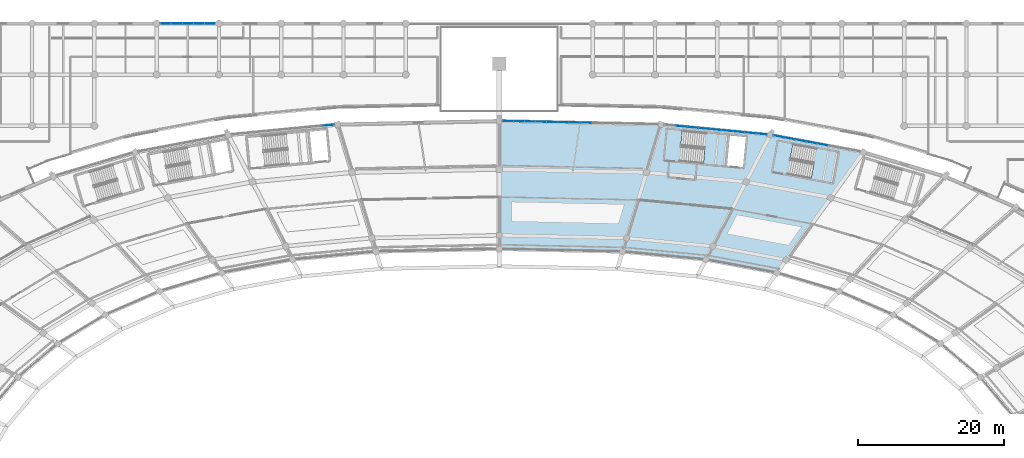
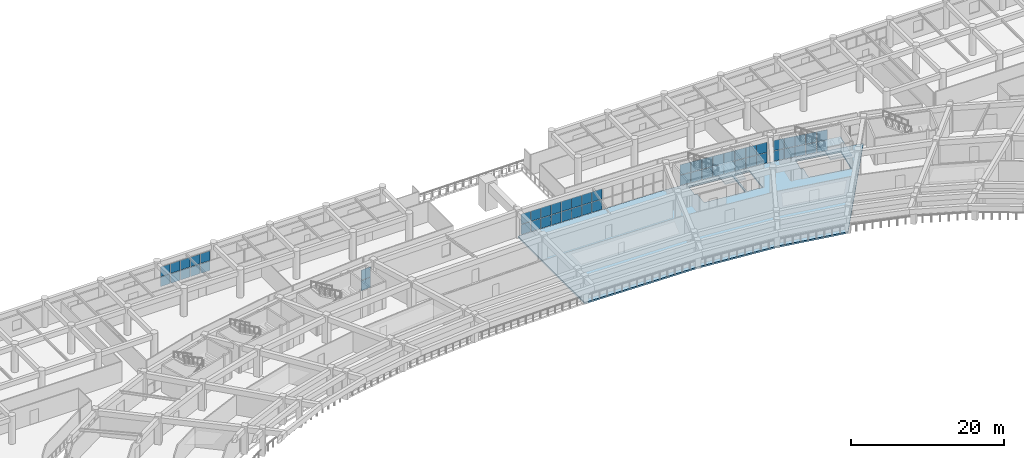
# One storey, part 89 of 145: 54 plates, 3 slabs, 7 elements without a shape of their own.
"""IFC4 building model written with IfcOpenShell, lengths in metres."""

from ifc_helpers import new_model, si_unit, direction, frame, origin, origin_2d, place, context, subcontext, project, spatial, polyline, rectangle, outline, extrude, material, layer, layer_set, type_object, element, aggregate, save


model = new_model("IFC4")

# Units and contexts
model_context = context("Model", 3, precision=1e-05, world=origin(), true_north=direction((0.0, 1.0)))
body_context = subcontext(model_context, "Body", "Model", "MODEL_VIEW")
ifc_project = project(units=[si_unit("LENGTHUNIT", "METRE"), si_unit("AREAUNIT", "SQUARE_METRE"), si_unit("VOLUMEUNIT", "CUBIC_METRE"), si_unit("PLANEANGLEUNIT", "RADIAN"), si_unit("MASSUNIT", "GRAM", prefix="KILO")], contexts=[model_context])

# Site, building, storey
site_placement = place(None, origin())
site = spatial("IfcSite", under=ifc_project, at=site_placement, CompositionType="ELEMENT")
building_placement = place(site_placement, origin())
building = spatial("IfcBuilding", under=site, at=building_placement, Name="Mphavela Belvedere Stadium", CompositionType="ELEMENT")
storey_placement = place(building_placement, frame((0.0, 0.0, 10.199951171875)))
storey = spatial("IfcBuildingStorey", under=building, at=storey_placement, Name="L02", CompositionType="ELEMENT", Elevation=10.199951171875)

# Curtain wall, plates
ifc_material_1 = material(Name="Anodised bronze unitised curtain wall framing")
ifc_layer_1 = layer(ifc_material_1, 0.199951171875)
ifc_layer_set_1 = layer_set([ifc_layer_1], Name="Anodised bronze unitised curtain wall framing")
curtain_wall_type_1 = type_object("IfcCurtainWallType", Name="CW-UNIT-05", PredefinedType="USERDEFINED", material=ifc_layer_set_1)
curtain_wall_1_placement = place(storey_placement, origin())
curtain_wall_1 = element("IfcCurtainWall", 1, at=curtain_wall_1_placement, inside=storey, type_object=curtain_wall_type_1, Name="Belvedere colonnade curtain wall L02-10", ObjectType="UNITISED CURTAIN WALL", PredefinedType="USERDEFINED")
ifc_material_2 = material(Name="Solar-control double glazing", Category="glass")
ifc_layer_2 = layer(ifc_material_2, 0.031982421875)
ifc_layer_set_2 = layer_set([ifc_layer_2], Name="Solar-control double glazing")
plate_type = type_object("IfcPlateType", Name="CWP-SOLAR-GLASS", PredefinedType="CURTAIN_PANEL", material=ifc_layer_set_2)
plate_1_placement = place(storey_placement, frame((159.18359375, 157.443115234375, 0.06005859375), z_axis=(0.0, 0.0, 1.0), x_axis=(-0.983097097753, 0.1830849431, 0.0)))
plate_1 = element("IfcPlate", 2, at=plate_1_placement, type_object=plate_type, Name="CW-05 panel 4.1", PredefinedType="CURTAIN_PANEL", context=body_context, shape_type="SweptSolid", body=[
    extrude(rectangle(XDim=1.453857421875, YDim=0.031982421875, at=origin_2d()), origin(), (0.0, 0.0, 1.0), 1.6201171875),
])
plate_2_placement = place(storey_placement, frame((159.18359375, 157.443115234375, 1.739990234375), z_axis=(0.0, 0.0, 1.0), x_axis=(-0.983097097753, 0.1830849431, 0.0)))
plate_2 = element("IfcPlate", 3, at=plate_2_placement, type_object=plate_type, Name="CW-05 panel 4.2", PredefinedType="CURTAIN_PANEL", context=body_context, shape_type="SweptSolid", body=[
    extrude(rectangle(XDim=1.453857421875, YDim=0.031982421875, at=origin_2d()), origin(), (0.0, 0.0, 1.0), 1.6201171875),
])
plate_3_placement = place(storey_placement, frame((157.6904296875, 157.72119140625, 0.06005859375), z_axis=(0.0, 0.0, 1.0), x_axis=(-0.983097097753, 0.1830849431, 0.0)))
plate_3 = element("IfcPlate", 4, at=plate_3_placement, type_object=plate_type, Name="CW-05 panel 5.1", PredefinedType="CURTAIN_PANEL", context=body_context, shape_type="SweptSolid", body=[
    extrude(rectangle(XDim=1.453857421875, YDim=0.031982421875, at=origin_2d()), origin(), (0.0, 0.0, 1.0), 1.6201171875),
])
plate_4_placement = place(storey_placement, frame((157.6904296875, 157.72119140625, 1.739990234375), z_axis=(0.0, 0.0, 1.0), x_axis=(-0.983097097753, 0.1830849431, 0.0)))
plate_4 = element("IfcPlate", 5, at=plate_4_placement, type_object=plate_type, Name="CW-05 panel 5.2", PredefinedType="CURTAIN_PANEL", context=body_context, shape_type="SweptSolid", body=[
    extrude(rectangle(XDim=1.453857421875, YDim=0.031982421875, at=origin_2d()), origin(), (0.0, 0.0, 1.0), 1.6201171875),
])
plate_5_placement = place(storey_placement, frame((156.197265625, 157.999267578125, 0.06005859375), z_axis=(0.0, 0.0, 1.0), x_axis=(-0.983097097753, 0.1830849431, 0.0)))
plate_5 = element("IfcPlate", 6, at=plate_5_placement, type_object=plate_type, Name="CW-05 panel 6.1", PredefinedType="CURTAIN_PANEL", context=body_context, shape_type="SweptSolid", body=[
    extrude(rectangle(XDim=1.453857421875, YDim=0.031982421875, at=origin_2d()), origin(), (0.0, 0.0, 1.0), 1.6201171875),
])
plate_6_placement = place(storey_placement, frame((156.197265625, 157.999267578125, 1.739990234375), z_axis=(0.0, 0.0, 1.0), x_axis=(-0.983097097753, 0.1830849431, 0.0)))
plate_6 = element("IfcPlate", 7, at=plate_6_placement, type_object=plate_type, Name="CW-05 panel 6.2", PredefinedType="CURTAIN_PANEL", context=body_context, shape_type="SweptSolid", body=[
    extrude(rectangle(XDim=1.453857421875, YDim=0.031982421875, at=origin_2d()), origin(), (0.0, 0.0, 1.0), 1.6201171875),
])
plate_7_placement = place(storey_placement, frame((154.703857421875, 158.27734375, 0.06005859375), z_axis=(0.0, 0.0, 1.0), x_axis=(-0.983097097753, 0.1830849431, 0.0)))
plate_7 = element("IfcPlate", 8, at=plate_7_placement, type_object=plate_type, Name="CW-05 panel 7.1", PredefinedType="CURTAIN_PANEL", context=body_context, shape_type="SweptSolid", body=[
    extrude(rectangle(XDim=1.453857421875, YDim=0.031982421875, at=origin_2d()), origin(), (0.0, 0.0, 1.0), 1.6201171875),
])
plate_8_placement = place(storey_placement, frame((154.703857421875, 158.27734375, 1.739990234375), z_axis=(0.0, 0.0, 1.0), x_axis=(-0.983097097753, 0.1830849431, 0.0)))
plate_8 = element("IfcPlate", 9, at=plate_8_placement, type_object=plate_type, Name="CW-05 panel 7.2", PredefinedType="CURTAIN_PANEL", context=body_context, shape_type="SweptSolid", body=[
    extrude(rectangle(XDim=1.453857421875, YDim=0.031982421875, at=origin_2d()), origin(), (0.0, 0.0, 1.0), 1.6201171875),
])
plate_9_placement = place(storey_placement, frame((153.226806640625, 158.552490234375, 0.06005859375), z_axis=(0.0, 0.0, 1.0), x_axis=(-0.983097097753, 0.1830849431, 0.0)))
plate_9 = element("IfcPlate", 10, at=plate_9_placement, type_object=plate_type, Name="CW-05 panel 8.1", PredefinedType="CURTAIN_PANEL", context=body_context, shape_type="SweptSolid", body=[
    extrude(rectangle(XDim=1.42138671875, YDim=0.031982421875, at=origin_2d()), origin(), (0.0, 0.0, 1.0), 1.6201171875),
])
plate_10_placement = place(storey_placement, frame((153.226806640625, 158.552490234375, 1.739990234375), z_axis=(0.0, 0.0, 1.0), x_axis=(-0.983097097753, 0.1830849431, 0.0)))
plate_10 = element("IfcPlate", 11, at=plate_10_placement, type_object=plate_type, Name="CW-05 panel 8.2", PredefinedType="CURTAIN_PANEL", context=body_context, shape_type="SweptSolid", body=[
    extrude(rectangle(XDim=1.42138671875, YDim=0.031982421875, at=origin_2d()), origin(), (0.0, 0.0, 1.0), 1.6201171875),
])
aggregate(curtain_wall_1, [plate_1, plate_2, plate_3, plate_4, plate_5, plate_6, plate_7, plate_8, plate_9, plate_10])

ifc_material_3 = material(Name="Anodised bronze unitised curtain wall framing")
ifc_layer_3 = layer(ifc_material_3, 0.205078125)
ifc_layer_set_3 = layer_set([ifc_layer_3], Name="Anodised bronze unitised curtain wall framing")
curtain_wall_type_2 = type_object("IfcCurtainWallType", Name="CW-UNIT-06", PredefinedType="USERDEFINED", material=ifc_layer_set_3)
curtain_wall_2_placement = place(storey_placement, origin())
curtain_wall_2 = element("IfcCurtainWall", 12, at=curtain_wall_2_placement, inside=storey, type_object=curtain_wall_type_2, Name="Belvedere colonnade curtain wall L02-11", ObjectType="UNITISED CURTAIN WALL", PredefinedType="USERDEFINED")
plate_11_placement = place(storey_placement, frame((150.87353515625, 158.8818359375, 0.06005859375), z_axis=(0.0, 0.0, 1.0), x_axis=(-0.99548434828, 0.094925825406, 0.0)))
plate_11 = element("IfcPlate", 13, at=plate_11_placement, type_object=plate_type, Name="CW-06 panel 1.1", PredefinedType="CURTAIN_PANEL", context=body_context, shape_type="SweptSolid", body=[
    extrude(rectangle(XDim=1.483642578125, YDim=0.031982421875, at=origin_2d()), origin(), (0.0, 0.0, 1.0), 1.6201171875),
])
plate_12_placement = place(storey_placement, frame((150.87353515625, 158.8818359375, 1.739990234375), z_axis=(0.0, 0.0, 1.0), x_axis=(-0.99548434828, 0.094925825406, 0.0)))
plate_12 = element("IfcPlate", 14, at=plate_12_placement, type_object=plate_type, Name="CW-06 panel 1.2", PredefinedType="CURTAIN_PANEL", context=body_context, shape_type="SweptSolid", body=[
    extrude(rectangle(XDim=1.483642578125, YDim=0.031982421875, at=origin_2d()), origin(), (0.0, 0.0, 1.0), 1.6201171875),
])
plate_13_placement = place(storey_placement, frame((149.315673828125, 159.0302734375, 0.06005859375), z_axis=(0.0, 0.0, 1.0), x_axis=(-0.99548434828, 0.094925825406, 0.0)))
plate_13 = element("IfcPlate", 15, at=plate_13_placement, type_object=plate_type, Name="CW-06 panel 2.1", PredefinedType="CURTAIN_PANEL", context=body_context, shape_type="SweptSolid", body=[
    extrude(rectangle(XDim=1.51611328125, YDim=0.031982421875, at=origin_2d()), origin(), (0.0, 0.0, 1.0), 1.6201171875),
])
plate_14_placement = place(storey_placement, frame((149.315673828125, 159.0302734375, 1.739990234375), z_axis=(0.0, 0.0, 1.0), x_axis=(-0.99548434828, 0.094925825406, 0.0)))
plate_14 = element("IfcPlate", 16, at=plate_14_placement, type_object=plate_type, Name="CW-06 panel 2.2", PredefinedType="CURTAIN_PANEL", context=body_context, shape_type="SweptSolid", body=[
    extrude(rectangle(XDim=1.51611328125, YDim=0.031982421875, at=origin_2d()), origin(), (0.0, 0.0, 1.0), 1.6201171875),
])
plate_15_placement = place(storey_placement, frame((147.74169921875, 159.180419921875, 0.06005859375), z_axis=(0.0, 0.0, 1.0), x_axis=(-0.99548434828, 0.094925825406, 0.0)))
plate_15 = element("IfcPlate", 17, at=plate_15_placement, type_object=plate_type, Name="CW-06 panel 3.1", PredefinedType="CURTAIN_PANEL", context=body_context, shape_type="SweptSolid", body=[
    extrude(rectangle(XDim=1.51611328125, YDim=0.031982421875, at=origin_2d()), origin(), (0.0, 0.0, 1.0), 1.6201171875),
])
plate_16_placement = place(storey_placement, frame((147.74169921875, 159.180419921875, 1.739990234375), z_axis=(0.0, 0.0, 1.0), x_axis=(-0.99548434828, 0.094925825406, 0.0)))
plate_16 = element("IfcPlate", 18, at=plate_16_placement, type_object=plate_type, Name="CW-06 panel 3.2", PredefinedType="CURTAIN_PANEL", context=body_context, shape_type="SweptSolid", body=[
    extrude(rectangle(XDim=1.51611328125, YDim=0.031982421875, at=origin_2d()), origin(), (0.0, 0.0, 1.0), 1.6201171875),
])
plate_17_placement = place(storey_placement, frame((146.167724609375, 159.33056640625, 0.06005859375), z_axis=(0.0, 0.0, 1.0), x_axis=(-0.99548434828, 0.094925825406, 0.0)))
plate_17 = element("IfcPlate", 19, at=plate_17_placement, type_object=plate_type, Name="CW-06 panel 4.1", PredefinedType="CURTAIN_PANEL", context=body_context, shape_type="SweptSolid", body=[
    extrude(rectangle(XDim=1.51611328125, YDim=0.031982421875, at=origin_2d()), origin(), (0.0, 0.0, 1.0), 1.6201171875),
])
plate_18_placement = place(storey_placement, frame((146.167724609375, 159.33056640625, 1.739990234375), z_axis=(0.0, 0.0, 1.0), x_axis=(-0.99548434828, 0.094925825406, 0.0)))
plate_18 = element("IfcPlate", 20, at=plate_18_placement, type_object=plate_type, Name="CW-06 panel 4.2", PredefinedType="CURTAIN_PANEL", context=body_context, shape_type="SweptSolid", body=[
    extrude(rectangle(XDim=1.51611328125, YDim=0.031982421875, at=origin_2d()), origin(), (0.0, 0.0, 1.0), 1.6201171875),
])
plate_19_placement = place(storey_placement, frame((144.59375, 159.480712890625, 0.06005859375), z_axis=(0.0, 0.0, 1.0), x_axis=(-0.99548434828, 0.094925825406, 0.0)))
plate_19 = element("IfcPlate", 21, at=plate_19_placement, type_object=plate_type, Name="CW-06 panel 5.1", PredefinedType="CURTAIN_PANEL", context=body_context, shape_type="SweptSolid", body=[
    extrude(rectangle(XDim=1.51611328125, YDim=0.031982421875, at=origin_2d()), origin(), (0.0, 0.0, 1.0), 1.6201171875),
])
plate_20_placement = place(storey_placement, frame((144.59375, 159.480712890625, 1.739990234375), z_axis=(0.0, 0.0, 1.0), x_axis=(-0.99548434828, 0.094925825406, 0.0)))
plate_20 = element("IfcPlate", 22, at=plate_20_placement, type_object=plate_type, Name="CW-06 panel 5.2", PredefinedType="CURTAIN_PANEL", context=body_context, shape_type="SweptSolid", body=[
    extrude(rectangle(XDim=1.51611328125, YDim=0.031982421875, at=origin_2d()), origin(), (0.0, 0.0, 1.0), 1.6201171875),
])
plate_21_placement = place(storey_placement, frame((143.019775390625, 159.630615234375, 0.06005859375), z_axis=(0.0, 0.0, 1.0), x_axis=(-0.99548434828, 0.094925825406, 0.0)))
plate_21 = element("IfcPlate", 23, at=plate_21_placement, type_object=plate_type, Name="CW-06 panel 6.1", PredefinedType="CURTAIN_PANEL", context=body_context, shape_type="SweptSolid", body=[
    extrude(rectangle(XDim=1.51611328125, YDim=0.031982421875, at=origin_2d()), origin(), (0.0, 0.0, 1.0), 1.6201171875),
])
plate_22_placement = place(storey_placement, frame((143.019775390625, 159.630615234375, 1.739990234375), z_axis=(0.0, 0.0, 1.0), x_axis=(-0.99548434828, 0.094925825406, 0.0)))
plate_22 = element("IfcPlate", 24, at=plate_22_placement, type_object=plate_type, Name="CW-06 panel 6.2", PredefinedType="CURTAIN_PANEL", context=body_context, shape_type="SweptSolid", body=[
    extrude(rectangle(XDim=1.51611328125, YDim=0.031982421875, at=origin_2d()), origin(), (0.0, 0.0, 1.0), 1.6201171875),
])
plate_23_placement = place(storey_placement, frame((141.44580078125, 159.78076171875, 0.06005859375), z_axis=(0.0, 0.0, 1.0), x_axis=(-0.99548434828, 0.094925825406, 0.0)))
plate_23 = element("IfcPlate", 25, at=plate_23_placement, type_object=plate_type, Name="CW-06 panel 7.1", PredefinedType="CURTAIN_PANEL", context=body_context, shape_type="SweptSolid", body=[
    extrude(rectangle(XDim=1.51611328125, YDim=0.031982421875, at=origin_2d()), origin(), (0.0, 0.0, 1.0), 1.6201171875),
])
plate_24_placement = place(storey_placement, frame((141.44580078125, 159.78076171875, 1.739990234375), z_axis=(0.0, 0.0, 1.0), x_axis=(-0.99548434828, 0.094925825406, 0.0)))
plate_24 = element("IfcPlate", 26, at=plate_24_placement, type_object=plate_type, Name="CW-06 panel 7.2", PredefinedType="CURTAIN_PANEL", context=body_context, shape_type="SweptSolid", body=[
    extrude(rectangle(XDim=1.51611328125, YDim=0.031982421875, at=origin_2d()), origin(), (0.0, 0.0, 1.0), 1.6201171875),
])
plate_25_placement = place(storey_placement, frame((139.871826171875, 159.930908203125, 0.06005859375), z_axis=(0.0, 0.0, 1.0), x_axis=(-0.99548434828, 0.094925825406, 0.0)))
plate_25 = element("IfcPlate", 27, at=plate_25_placement, type_object=plate_type, Name="CW-06 panel 8.1", PredefinedType="CURTAIN_PANEL", context=body_context, shape_type="SweptSolid", body=[
    extrude(rectangle(XDim=1.51611328125, YDim=0.031982421875, at=origin_2d()), origin(), (0.0, 0.0, 1.0), 1.6201171875),
])
plate_26_placement = place(storey_placement, frame((139.871826171875, 159.930908203125, 1.739990234375), z_axis=(0.0, 0.0, 1.0), x_axis=(-0.99548434828, 0.094925825406, 0.0)))
plate_26 = element("IfcPlate", 28, at=plate_26_placement, type_object=plate_type, Name="CW-06 panel 8.2", PredefinedType="CURTAIN_PANEL", context=body_context, shape_type="SweptSolid", body=[
    extrude(rectangle(XDim=1.51611328125, YDim=0.031982421875, at=origin_2d()), origin(), (0.0, 0.0, 1.0), 1.6201171875),
])
aggregate(curtain_wall_2, [plate_11, plate_12, plate_13, plate_14, plate_15, plate_16, plate_17, plate_18, plate_19, plate_20, plate_21, plate_22, plate_23, plate_24, plate_25, plate_26])

ifc_material_4 = material(Name="Anodised bronze unitised curtain wall framing")
ifc_layer_4 = layer(ifc_material_4, 0.179931640625)
ifc_layer_set_4 = layer_set([ifc_layer_4], Name="Anodised bronze unitised curtain wall framing")
curtain_wall_type_3 = type_object("IfcCurtainWallType", Name="CW-UNIT-01", PredefinedType="USERDEFINED", material=ifc_layer_set_4)
curtain_wall_3_placement = place(storey_placement, origin())
curtain_wall_3 = element("IfcCurtainWall", 29, at=curtain_wall_3_placement, inside=storey, type_object=curtain_wall_type_3, Name="Belvedere colonnade curtain wall L02-12", ObjectType="UNITISED CURTAIN WALL", PredefinedType="USERDEFINED")
plate_27_placement = place(storey_placement, frame((126.818603515625, 160.41552734375, 0.06005859375), z_axis=(0.0, 0.0, 1.0), x_axis=(-0.999768303802, 0.021525304021, 0.0)))
plate_27 = element("IfcPlate", 30, at=plate_27_placement, type_object=plate_type, Name="CW-01 panel 7.1", PredefinedType="CURTAIN_PANEL", context=body_context, shape_type="SweptSolid", body=[
    extrude(rectangle(XDim=1.4580078125, YDim=0.031982421875, at=origin_2d()), origin(), (0.0, 0.0, 1.0), 1.6201171875),
])
plate_28_placement = place(storey_placement, frame((126.818603515625, 160.41552734375, 1.739990234375), z_axis=(0.0, 0.0, 1.0), x_axis=(-0.999768303802, 0.021525304021, 0.0)))
plate_28 = element("IfcPlate", 31, at=plate_28_placement, type_object=plate_type, Name="CW-01 panel 7.2", PredefinedType="CURTAIN_PANEL", context=body_context, shape_type="SweptSolid", body=[
    extrude(rectangle(XDim=1.4580078125, YDim=0.031982421875, at=origin_2d()), origin(), (0.0, 0.0, 1.0), 1.6201171875),
])
plate_29_placement = place(storey_placement, frame((125.2958984375, 160.4482421875, 0.06005859375), z_axis=(0.0, 0.0, 1.0), x_axis=(-0.999768303802, 0.021525304021, 0.0)))
plate_29 = element("IfcPlate", 32, at=plate_29_placement, type_object=plate_type, Name="CW-01 panel 8.1", PredefinedType="CURTAIN_PANEL", context=body_context, shape_type="SweptSolid", body=[
    extrude(rectangle(XDim=1.4580078125, YDim=0.031982421875, at=origin_2d()), origin(), (0.0, 0.0, 1.0), 1.6201171875),
])
plate_30_placement = place(storey_placement, frame((125.2958984375, 160.4482421875, 1.739990234375), z_axis=(0.0, 0.0, 1.0), x_axis=(-0.999768303802, 0.021525304021, 0.0)))
plate_30 = element("IfcPlate", 33, at=plate_30_placement, type_object=plate_type, Name="CW-01 panel 8.2", PredefinedType="CURTAIN_PANEL", context=body_context, shape_type="SweptSolid", body=[
    extrude(rectangle(XDim=1.4580078125, YDim=0.031982421875, at=origin_2d()), origin(), (0.0, 0.0, 1.0), 1.6201171875),
])
plate_31_placement = place(storey_placement, frame((123.773193359375, 160.48095703125, 0.06005859375), z_axis=(0.0, 0.0, 1.0), x_axis=(-0.999768303802, 0.021525304021, 0.0)))
plate_31 = element("IfcPlate", 34, at=plate_31_placement, type_object=plate_type, Name="CW-01 panel 9.1", PredefinedType="CURTAIN_PANEL", context=body_context, shape_type="SweptSolid", body=[
    extrude(rectangle(XDim=1.4580078125, YDim=0.031982421875, at=origin_2d()), origin(), (0.0, 0.0, 1.0), 1.6201171875),
])
plate_32_placement = place(storey_placement, frame((123.773193359375, 160.48095703125, 1.739990234375), z_axis=(0.0, 0.0, 1.0), x_axis=(-0.999768303802, 0.021525304021, 0.0)))
plate_32 = element("IfcPlate", 35, at=plate_32_placement, type_object=plate_type, Name="CW-01 panel 9.2", PredefinedType="CURTAIN_PANEL", context=body_context, shape_type="SweptSolid", body=[
    extrude(rectangle(XDim=1.4580078125, YDim=0.031982421875, at=origin_2d()), origin(), (0.0, 0.0, 1.0), 1.6201171875),
])
plate_33_placement = place(storey_placement, frame((122.25048828125, 160.513916015625, 0.06005859375), z_axis=(0.0, 0.0, 1.0), x_axis=(-0.999768303802, 0.021525304021, 0.0)))
plate_33 = element("IfcPlate", 36, at=plate_33_placement, type_object=plate_type, Name="CW-01 panel 10.1", PredefinedType="CURTAIN_PANEL", context=body_context, shape_type="SweptSolid", body=[
    extrude(rectangle(XDim=1.4580078125, YDim=0.031982421875, at=origin_2d()), origin(), (0.0, 0.0, 1.0), 1.6201171875),
])
plate_34_placement = place(storey_placement, frame((122.25048828125, 160.513916015625, 1.739990234375), z_axis=(0.0, 0.0, 1.0), x_axis=(-0.999768303802, 0.021525304021, 0.0)))
plate_34 = element("IfcPlate", 37, at=plate_34_placement, type_object=plate_type, Name="CW-01 panel 10.2", PredefinedType="CURTAIN_PANEL", context=body_context, shape_type="SweptSolid", body=[
    extrude(rectangle(XDim=1.4580078125, YDim=0.031982421875, at=origin_2d()), origin(), (0.0, 0.0, 1.0), 1.6201171875),
])
plate_35_placement = place(storey_placement, frame((120.7275390625, 160.546630859375, 0.06005859375), z_axis=(0.0, 0.0, 1.0), x_axis=(-0.999768303802, 0.021525304021, 0.0)))
plate_35 = element("IfcPlate", 38, at=plate_35_placement, type_object=plate_type, Name="CW-01 panel 11.1", PredefinedType="CURTAIN_PANEL", context=body_context, shape_type="SweptSolid", body=[
    extrude(rectangle(XDim=1.4580078125, YDim=0.031982421875, at=origin_2d()), origin(), (0.0, 0.0, 1.0), 1.6201171875),
])
plate_36_placement = place(storey_placement, frame((120.7275390625, 160.546630859375, 1.739990234375), z_axis=(0.0, 0.0, 1.0), x_axis=(-0.999768303802, 0.021525304021, 0.0)))
plate_36 = element("IfcPlate", 39, at=plate_36_placement, type_object=plate_type, Name="CW-01 panel 11.2", PredefinedType="CURTAIN_PANEL", context=body_context, shape_type="SweptSolid", body=[
    extrude(rectangle(XDim=1.4580078125, YDim=0.031982421875, at=origin_2d()), origin(), (0.0, 0.0, 1.0), 1.6201171875),
])
plate_37_placement = place(storey_placement, frame((119.204833984375, 160.579345703125, 0.06005859375), z_axis=(0.0, 0.0, 1.0), x_axis=(-0.999768303802, 0.021525304021, 0.0)))
plate_37 = element("IfcPlate", 40, at=plate_37_placement, type_object=plate_type, Name="CW-01 panel 12.1", PredefinedType="CURTAIN_PANEL", context=body_context, shape_type="SweptSolid", body=[
    extrude(rectangle(XDim=1.4580078125, YDim=0.031982421875, at=origin_2d()), origin(), (0.0, 0.0, 1.0), 1.6201171875),
])
plate_38_placement = place(storey_placement, frame((119.204833984375, 160.579345703125, 1.739990234375), z_axis=(0.0, 0.0, 1.0), x_axis=(-0.999768303802, 0.021525304021, 0.0)))
plate_38 = element("IfcPlate", 41, at=plate_38_placement, type_object=plate_type, Name="CW-01 panel 12.2", PredefinedType="CURTAIN_PANEL", context=body_context, shape_type="SweptSolid", body=[
    extrude(rectangle(XDim=1.4580078125, YDim=0.031982421875, at=origin_2d()), origin(), (0.0, 0.0, 1.0), 1.6201171875),
])
plate_39_placement = place(storey_placement, frame((117.68212890625, 160.6123046875, 0.06005859375), z_axis=(0.0, 0.0, 1.0), x_axis=(-0.999768303802, 0.021525304021, 0.0)))
plate_39 = element("IfcPlate", 42, at=plate_39_placement, type_object=plate_type, Name="CW-01 panel 13.1", PredefinedType="CURTAIN_PANEL", context=body_context, shape_type="SweptSolid", body=[
    extrude(rectangle(XDim=1.4580078125, YDim=0.031982421875, at=origin_2d()), origin(), (0.0, 0.0, 1.0), 1.6201171875),
])
plate_40_placement = place(storey_placement, frame((117.68212890625, 160.6123046875, 1.739990234375), z_axis=(0.0, 0.0, 1.0), x_axis=(-0.999768303802, 0.021525304021, 0.0)))
plate_40 = element("IfcPlate", 43, at=plate_40_placement, type_object=plate_type, Name="CW-01 panel 13.2", PredefinedType="CURTAIN_PANEL", context=body_context, shape_type="SweptSolid", body=[
    extrude(rectangle(XDim=1.4580078125, YDim=0.031982421875, at=origin_2d()), origin(), (0.0, 0.0, 1.0), 1.6201171875),
])
plate_41_placement = place(storey_placement, frame((116.175537109375, 160.644775390625, 0.06005859375), z_axis=(0.0, 0.0, 1.0), x_axis=(-0.999768303802, 0.021525304021, 0.0)))
plate_41 = element("IfcPlate", 44, at=plate_41_placement, type_object=plate_type, Name="CW-01 panel 14.1", PredefinedType="CURTAIN_PANEL", context=body_context, shape_type="SweptSolid", body=[
    extrude(rectangle(XDim=1.425537109375, YDim=0.031982421875, at=origin_2d()), origin(), (0.0, 0.0, 1.0), 1.6201171875),
])
plate_42_placement = place(storey_placement, frame((116.175537109375, 160.644775390625, 1.739990234375), z_axis=(0.0, 0.0, 1.0), x_axis=(-0.999768303802, 0.021525304021, 0.0)))
plate_42 = element("IfcPlate", 45, at=plate_42_placement, type_object=plate_type, Name="CW-01 panel 14.2", PredefinedType="CURTAIN_PANEL", context=body_context, shape_type="SweptSolid", body=[
    extrude(rectangle(XDim=1.425537109375, YDim=0.031982421875, at=origin_2d()), origin(), (0.0, 0.0, 1.0), 1.6201171875),
])
aggregate(curtain_wall_3, [plate_27, plate_28, plate_29, plate_30, plate_31, plate_32, plate_33, plate_34, plate_35, plate_36, plate_37, plate_38, plate_39, plate_40, plate_41, plate_42])

ifc_material_5 = material(Name="Anodised bronze unitised curtain wall framing")
ifc_layer_5 = layer(ifc_material_5, 0.18505859375)
ifc_layer_set_5 = layer_set([ifc_layer_5], Name="Anodised bronze unitised curtain wall framing")
curtain_wall_type_4 = type_object("IfcCurtainWallType", Name="CW-UNIT-02", PredefinedType="USERDEFINED", material=ifc_layer_set_5)
curtain_wall_4_placement = place(storey_placement, origin())
curtain_wall_4 = element("IfcCurtainWall", 46, at=curtain_wall_4_placement, inside=storey, type_object=curtain_wall_type_4, Name="Belvedere colonnade curtain wall L02-14", ObjectType="UNITISED CURTAIN WALL", PredefinedType="USERDEFINED")
plate_43_placement = place(storey_placement, frame((91.68603515625, 160.079345703125, 0.06005859375), z_axis=(0.0, 0.0, 1.0), x_axis=(-0.99548434828, -0.094925825406, 0.0)))
plate_43 = element("IfcPlate", 47, at=plate_43_placement, type_object=plate_type, Name="CW-02 panel 1.1", PredefinedType="CURTAIN_PANEL", context=body_context, shape_type="SweptSolid", body=[
    extrude(rectangle(XDim=1.483642578125, YDim=0.031982421875, at=origin_2d()), origin(), (0.0, 0.0, 1.0), 1.6201171875),
])
plate_44_placement = place(storey_placement, frame((91.68603515625, 160.079345703125, 1.739990234375), z_axis=(0.0, 0.0, 1.0), x_axis=(-0.99548434828, -0.094925825406, 0.0)))
plate_44 = element("IfcPlate", 48, at=plate_44_placement, type_object=plate_type, Name="CW-02 panel 1.2", PredefinedType="CURTAIN_PANEL", context=body_context, shape_type="SweptSolid", body=[
    extrude(rectangle(XDim=1.483642578125, YDim=0.031982421875, at=origin_2d()), origin(), (0.0, 0.0, 1.0), 1.6201171875),
])
aggregate(curtain_wall_4, [plate_43, plate_44])

curtain_wall_5_placement = place(storey_placement, origin())
curtain_wall_5 = element("IfcCurtainWall", 49, at=curtain_wall_5_placement, inside=storey, type_object=curtain_wall_type_1, Name="North Mast and Ceremonial End Forecourt gallery curtain wall L02-09", ObjectType="UNITISED CURTAIN WALL", PredefinedType="USERDEFINED")
plate_45_placement = place(storey_placement, frame((69.39453125, 174.0, 0.06005859375), z_axis=(0.0, 0.0, 1.0), x_axis=(1.0, 0.0, 0.0)))
plate_45 = element("IfcPlate", 50, at=plate_45_placement, type_object=plate_type, Name="CW-05 panel 1.1", PredefinedType="CURTAIN_PANEL", context=body_context, shape_type="SweptSolid", body=[
    extrude(rectangle(XDim=1.4169921875, YDim=0.031982421875, at=origin_2d()), origin(), (0.0, 0.0, 1.0), 1.5400390625),
])
plate_46_placement = place(storey_placement, frame((69.39453125, 174.0, 1.659912109375), z_axis=(0.0, 0.0, 1.0), x_axis=(1.0, 0.0, 0.0)))
plate_46 = element("IfcPlate", 51, at=plate_46_placement, type_object=plate_type, Name="CW-05 panel 1.2", PredefinedType="CURTAIN_PANEL", context=body_context, shape_type="SweptSolid", body=[
    extrude(rectangle(XDim=1.4169921875, YDim=0.031982421875, at=origin_2d()), origin(), (0.0, 0.0, 1.0), 1.5400390625),
])
plate_47_placement = place(storey_placement, frame((70.892822265625, 174.0, 0.06005859375), z_axis=(0.0, 0.0, 1.0), x_axis=(1.0, 0.0, 0.0)))
plate_47 = element("IfcPlate", 52, at=plate_47_placement, type_object=plate_type, Name="CW-05 panel 2.1", PredefinedType="CURTAIN_PANEL", context=body_context, shape_type="SweptSolid", body=[
    extrude(rectangle(XDim=1.44970703125, YDim=0.031982421875, at=origin_2d()), origin(), (0.0, 0.0, 1.0), 1.5400390625),
])
plate_48_placement = place(storey_placement, frame((70.892822265625, 174.0, 1.659912109375), z_axis=(0.0, 0.0, 1.0), x_axis=(1.0, 0.0, 0.0)))
plate_48 = element("IfcPlate", 53, at=plate_48_placement, type_object=plate_type, Name="CW-05 panel 2.2", PredefinedType="CURTAIN_PANEL", context=body_context, shape_type="SweptSolid", body=[
    extrude(rectangle(XDim=1.44970703125, YDim=0.031982421875, at=origin_2d()), origin(), (0.0, 0.0, 1.0), 1.5400390625),
])
plate_49_placement = place(storey_placement, frame((72.407470703125, 174.0, 0.06005859375), z_axis=(0.0, 0.0, 1.0), x_axis=(1.0, 0.0, 0.0)))
plate_49 = element("IfcPlate", 54, at=plate_49_placement, type_object=plate_type, Name="CW-05 panel 3.1", PredefinedType="CURTAIN_PANEL", context=body_context, shape_type="SweptSolid", body=[
    extrude(rectangle(XDim=1.44970703125, YDim=0.031982421875, at=origin_2d()), origin(), (0.0, 0.0, 1.0), 1.5400390625),
])
plate_50_placement = place(storey_placement, frame((72.407470703125, 174.0, 1.659912109375), z_axis=(0.0, 0.0, 1.0), x_axis=(1.0, 0.0, 0.0)))
plate_50 = element("IfcPlate", 55, at=plate_50_placement, type_object=plate_type, Name="CW-05 panel 3.2", PredefinedType="CURTAIN_PANEL", context=body_context, shape_type="SweptSolid", body=[
    extrude(rectangle(XDim=1.44970703125, YDim=0.031982421875, at=origin_2d()), origin(), (0.0, 0.0, 1.0), 1.5400390625),
])
plate_51_placement = place(storey_placement, frame((73.922119140625, 174.0, 0.06005859375), z_axis=(0.0, 0.0, 1.0), x_axis=(1.0, 0.0, 0.0)))
plate_51 = element("IfcPlate", 56, at=plate_51_placement, type_object=plate_type, Name="CW-05 panel 4.1", PredefinedType="CURTAIN_PANEL", context=body_context, shape_type="SweptSolid", body=[
    extrude(rectangle(XDim=1.44970703125, YDim=0.031982421875, at=origin_2d()), origin(), (0.0, 0.0, 1.0), 1.5400390625),
])
plate_52_placement = place(storey_placement, frame((73.922119140625, 174.0, 1.659912109375), z_axis=(0.0, 0.0, 1.0), x_axis=(1.0, 0.0, 0.0)))
plate_52 = element("IfcPlate", 57, at=plate_52_placement, type_object=plate_type, Name="CW-05 panel 4.2", PredefinedType="CURTAIN_PANEL", context=body_context, shape_type="SweptSolid", body=[
    extrude(rectangle(XDim=1.44970703125, YDim=0.031982421875, at=origin_2d()), origin(), (0.0, 0.0, 1.0), 1.5400390625),
])
plate_53_placement = place(storey_placement, frame((75.42041015625, 174.0, 0.06005859375), z_axis=(0.0, 0.0, 1.0), x_axis=(1.0, 0.0, 0.0)))
plate_53 = element("IfcPlate", 58, at=plate_53_placement, type_object=plate_type, Name="CW-05 panel 5.1", PredefinedType="CURTAIN_PANEL", context=body_context, shape_type="SweptSolid", body=[
    extrude(rectangle(XDim=1.4169921875, YDim=0.031982421875, at=origin_2d()), origin(), (0.0, 0.0, 1.0), 1.5400390625),
])
plate_54_placement = place(storey_placement, frame((75.42041015625, 174.0, 1.659912109375), z_axis=(0.0, 0.0, 1.0), x_axis=(1.0, 0.0, 0.0)))
plate_54 = element("IfcPlate", 59, at=plate_54_placement, type_object=plate_type, Name="CW-05 panel 5.2", PredefinedType="CURTAIN_PANEL", context=body_context, shape_type="SweptSolid", body=[
    extrude(rectangle(XDim=1.4169921875, YDim=0.031982421875, at=origin_2d()), origin(), (0.0, 0.0, 1.0), 1.5400390625),
])
aggregate(curtain_wall_5, [plate_45, plate_46, plate_47, plate_48, plate_49, plate_50, plate_51, plate_52, plate_53, plate_54])

# Slab
ifc_material_6 = material(Name="Concrete C40/50", Category="concrete")
ifc_layer_6 = layer(ifc_material_6, 0.25)
ifc_layer_set_6 = layer_set([ifc_layer_6], Name="Concrete C40/50")
slab_type_1 = type_object("IfcSlabType", Name="SLB-CONCOURSE-250", PredefinedType="FLOOR", material=ifc_layer_set_6)
slab_1_placement = place(storey_placement, frame((0.0, 0.0, -0.25)))
element("IfcSlab", 60, at=slab_1_placement, inside=storey, type_object=slab_type_1, Name="Concourse sector slab L02-S2:2", PredefinedType="FLOOR", context=body_context, shape_type="SweptSolid", body=[
    extrude(outline(polyline([(115.0, 160.669921875), (137.114501953125, 160.19384765625), (152.07275390625, 158.767333984375), (164.80126953125, 156.39697265625), (152.961669921875, 139.898681640625), (143.25927734375, 141.705810546875), (131.857177734375, 142.79296875), (115.0, 143.156005859375), (115.0, 160.669921875)]), holes=[polyline([(139.82373046875, 157.23583984375), (140.158203125, 157.2041015625), (139.959228515625, 155.118408203125), (145.892333984375, 154.552490234375), (146.290283203125, 158.723388671875), (140.022705078125, 159.3212890625), (139.82373046875, 157.23583984375)]), polyline([(146.111328125, 154.531494140625), (148.361083984375, 154.31689453125), (148.759033203125, 158.48779296875), (146.509521484375, 158.702392578125), (146.111328125, 154.531494140625)]), polyline([(160.586181640625, 152.230712890625), (161.353271484375, 156.349853515625), (155.16357421875, 157.502685546875), (154.780029296875, 155.443115234375), (155.1103515625, 155.381591796875), (154.726806640625, 153.322021484375), (160.586181640625, 152.230712890625)])]), origin(), (0.0, 0.0, 1.0), 0.25),
])

# Stair, slab
ifc_material_7 = material(Name="Concrete C40/50", Category="concrete")
stair_type_1 = type_object("IfcStairType", Name="STR-HALF-TURN-3", PredefinedType="HALF_TURN_STAIR", material=ifc_material_7)
stair_1_placement = place(storey_placement, origin())
stair_1 = element("IfcStair", 61, at=stair_1_placement, inside=storey, type_object=stair_type_1, Name="L02 Escape stair core C03", PredefinedType="HALF_TURN_STAIR")
ifc_material_8 = material(Name="Concrete C40/50", Category="concrete")
ifc_layer_7 = layer(ifc_material_8, 0.199951171875)
ifc_layer_set_7 = layer_set([ifc_layer_7], Name="Concrete C40/50")
slab_type_2 = type_object("IfcSlabType", Name="SLB-LANDING-200", PredefinedType="LANDING", material=ifc_layer_set_7)
slab_2_placement = place(storey_placement, frame((0.0, 0.0, 2.050048828125)))
slab_2 = element("IfcSlab", 62, at=slab_2_placement, type_object=slab_type_2, Name="ST-C03 landing 1", PredefinedType="LANDING", context=body_context, shape_type="SweptSolid", body=[
    extrude(outline(polyline([(142.91162109375, 154.71630859375), (145.881103515625, 154.432861328125), (146.3017578125, 158.843017578125), (142.978759765625, 159.159912109375), (142.7685546875, 156.955078125), (143.121826171875, 156.921142578125), (142.91162109375, 154.71630859375)])), origin(), (0.0, 0.0, 1.0), 0.199951171875),
])
aggregate(stair_1, [slab_2])

ifc_material_9 = material(Name="Precast concrete C45/55", Category="concrete")
stair_type_2 = type_object("IfcStairType", Name="STR-TWO-RET-2", PredefinedType="TWO_STRAIGHT_RUN_STAIR", material=ifc_material_9)
stair_2_placement = place(storey_placement, origin())
stair_2 = element("IfcStair", 63, at=stair_2_placement, inside=storey, type_object=stair_type_2, Name="L02 Escape stair core P02", PredefinedType="TWO_STRAIGHT_RUN_STAIR")
slab_3_placement = place(storey_placement, frame((0.0, 0.0, 2.050048828125)))
slab_3 = element("IfcSlab", 64, at=slab_3_placement, type_object=slab_type_2, Name="ST-P02 landing 1", PredefinedType="LANDING", context=body_context, shape_type="SweptSolid", body=[
    extrude(outline(polyline([(157.631591796875, 152.658935546875), (160.564208984375, 152.11279296875), (161.375244140625, 156.468017578125), (158.093505859375, 157.0791015625), (157.68798828125, 154.901611328125), (158.037109375, 154.83642578125), (157.631591796875, 152.658935546875)])), origin(), (0.0, 0.0, 1.0), 0.199951171875),
])
aggregate(stair_2, [slab_3])

save(model, "model.ifc")
